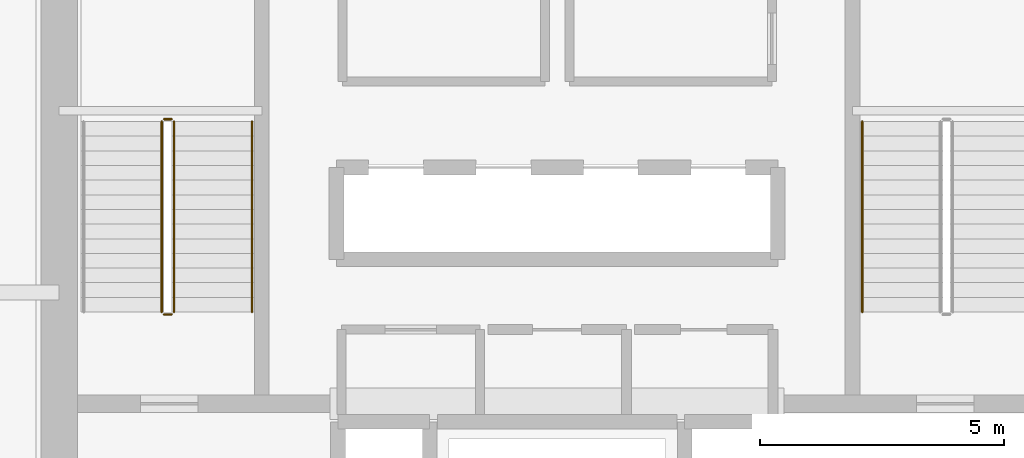
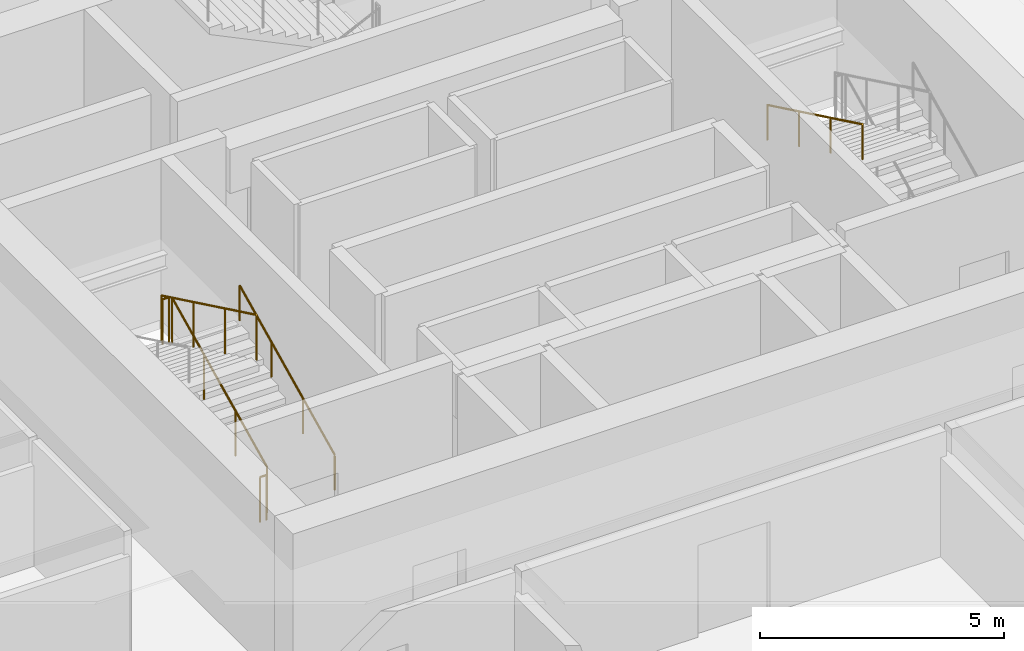
# One storey, part 33 of 36: 6 railings.
"""IFC4 building model written with IfcOpenShell, lengths in metres."""

from ifc_helpers import new_model, si_unit, direction, frame, origin, origin_2d, place, context, subcontext, project, spatial, circle, extrude, material, type_object, element, save


model = new_model("IFC4")

# Units and contexts
model_context = context("Model", 3, precision=1e-05, world=origin(), true_north=direction((0.0, 1.0)))
body_context = subcontext(model_context, "Body", "Model", "MODEL_VIEW")
ifc_project = project(units=[si_unit("LENGTHUNIT", "METRE"), si_unit("AREAUNIT", "SQUARE_METRE"), si_unit("VOLUMEUNIT", "CUBIC_METRE"), si_unit("PLANEANGLEUNIT", "RADIAN"), si_unit("MASSUNIT", "GRAM", prefix="KILO")], contexts=[model_context])

# Site, building, storey
site_placement = place(None, origin())
site = spatial("IfcSite", under=ifc_project, at=site_placement, CompositionType="ELEMENT")
building_placement = place(site_placement, origin())
building = spatial("IfcBuilding", under=site, at=building_placement, Name="Punatoya Terracotta Tower", CompositionType="ELEMENT")
storey_placement = place(building_placement, frame((0.0, 0.0, 48.449951171875)))
storey = spatial("IfcBuildingStorey", under=building, at=storey_placement, Name="L10", CompositionType="ELEMENT", Elevation=48.449951171875)

# Railings
ifc_material = material(Name="Steel S355", Category="steel")
railing_type_1 = type_object("IfcRailingType", Name="RLG-GRD-1150", PredefinedType="GUARDRAIL", material=ifc_material)
railing_1_placement = place(storey_placement, frame((-7.85009765625, -3.800048828125, 0.144775390625)))
element("IfcRailing", 1, at=railing_1_placement, inside=storey, type_object=railing_type_1, Name="L10 ST-1 stair guard 1", PredefinedType="GUARDRAIL", context=body_context, shape_type="SweptSolid", body=[
    extrude(circle(Radius=0.02392578125, at=origin_2d()), frame((0.0, 0.0, 1.1259765625), z_axis=(0.0, 0.900773802044, 0.434288564841), x_axis=(-1.0, 0.0, 0.0)), (0.0, 0.0, 1.0), 4.329833984375),
    extrude(circle(Radius=0.02099609375, at=origin_2d()), origin(), (0.0, 0.0, 1.0), 1.101806640625),
    extrude(circle(Radius=0.02099609375, at=origin_2d()), frame((0.0, 1.300048828125, 0.626708984375)), (0.0, 0.0, 1.0), 1.101806640625),
    extrude(circle(Radius=0.02099609375, at=origin_2d()), frame((0.0, 2.60009765625, 1.253662109375)), (0.0, 0.0, 1.0), 1.101806640625),
    extrude(circle(Radius=0.02099609375, at=origin_2d()), frame((0.0, 3.900146484375, 1.88037109375)), (0.0, 0.0, 1.0), 1.101806640625),
])
railing_2_placement = place(storey_placement, frame((-7.89990234375, 0.14990234375, 2.025146484375)))
element("IfcRailing", 2, at=railing_2_placement, inside=storey, type_object=railing_type_1, Name="L10 ST-1 stair guard 2", PredefinedType="GUARDRAIL", context=body_context, shape_type="SweptSolid", body=[
    extrude(circle(Radius=0.02392578125, at=origin_2d()), frame((0.0, 0.0, 1.1259765625), z_axis=(-1.0, 0.0, 0.0), x_axis=(0.0, -1.0, 0.0)), (0.0, 0.0, 1.0), 0.150146484375),
    extrude(circle(Radius=0.02099609375, at=origin_2d()), origin(), (0.0, 0.0, 1.0), 1.101806640625),
    extrude(circle(Radius=0.02099609375, at=origin_2d()), frame((-0.150146484375, 0.0, 0.0)), (0.0, 0.0, 1.0), 1.101806640625),
])
railing_3_placement = place(storey_placement, frame((-8.10009765625, 0.10009765625, 2.169677734375)))
element("IfcRailing", 3, at=railing_3_placement, inside=storey, type_object=railing_type_1, Name="L10 ST-1 stair guard 3", PredefinedType="GUARDRAIL", context=body_context, shape_type="SweptSolid", body=[
    extrude(circle(Radius=0.02392578125, at=origin_2d()), frame((0.0, 0.0, 1.1259765625), z_axis=(0.0, -0.900773802044, 0.434288564841), x_axis=(1.0, 0.0, 0.0)), (0.0, 0.0, 1.0), 4.329833984375),
    extrude(circle(Radius=0.02099609375, at=origin_2d()), origin(), (0.0, 0.0, 1.0), 1.101806640625),
    extrude(circle(Radius=0.02099609375, at=origin_2d()), frame((0.0, -1.300048828125, 0.626708984375)), (0.0, 0.0, 1.0), 1.101806640625),
    extrude(circle(Radius=0.02099609375, at=origin_2d()), frame((0.0, -2.60009765625, 1.253662109375)), (0.0, 0.0, 1.0), 1.101806640625),
    extrude(circle(Radius=0.02099609375, at=origin_2d()), frame((0.0, -3.900146484375, 1.88037109375)), (0.0, 0.0, 1.0), 1.101806640625),
])
railing_4_placement = place(storey_placement, frame((-7.89990234375, -3.85009765625, 0.0)))
element("IfcRailing", 4, at=railing_4_placement, inside=storey, type_object=railing_type_1, Name="L10 ST-1 stair guard 4", PredefinedType="GUARDRAIL", context=body_context, shape_type="SweptSolid", body=[
    extrude(circle(Radius=0.02392578125, at=origin_2d()), frame((0.0, 0.0, 1.1259765625), z_axis=(-1.0, 0.0, 0.0), x_axis=(0.0, -1.0, 0.0)), (0.0, 0.0, 1.0), 0.150146484375),
    extrude(circle(Radius=0.02099609375, at=origin_2d()), origin(), (0.0, 0.0, 1.0), 1.101806640625),
    extrude(circle(Radius=0.02099609375, at=origin_2d()), frame((-0.150146484375, 0.0, 0.0)), (0.0, 0.0, 1.0), 1.101806640625),
])
railing_type_2 = type_object("IfcRailingType", Name="RLG-HND-900", PredefinedType="HANDRAIL", material=ifc_material)
railing_5_placement = place(storey_placement, frame((-6.25, -3.800048828125, 0.144775390625)))
element("IfcRailing", 5, at=railing_5_placement, inside=storey, type_object=railing_type_2, Name="L10 ST-1 stair handrail 1", PredefinedType="HANDRAIL", context=body_context, shape_type="SweptSolid", body=[
    extrude(circle(Radius=0.02392578125, at=origin_2d()), frame((0.0, 0.0, 0.8759765625), z_axis=(0.0, 0.900773802044, 0.434288564841), x_axis=(-1.0, 0.0, 0.0)), (0.0, 0.0, 1.0), 4.329833984375),
    extrude(circle(Radius=0.02099609375, at=origin_2d()), origin(), (0.0, 0.0, 1.0), 0.851806640625),
    extrude(circle(Radius=0.02099609375, at=origin_2d()), frame((0.0, 1.300048828125, 0.626708984375)), (0.0, 0.0, 1.0), 0.851806640625),
    extrude(circle(Radius=0.02099609375, at=origin_2d()), frame((0.0, 2.60009765625, 1.253662109375)), (0.0, 0.0, 1.0), 0.851806640625),
    extrude(circle(Radius=0.02099609375, at=origin_2d()), frame((0.0, 3.900146484375, 1.88037109375)), (0.0, 0.0, 1.0), 0.851806640625),
])
railing_6_placement = place(storey_placement, frame((6.25, 0.10009765625, 2.169677734375)))
element("IfcRailing", 6, at=railing_6_placement, inside=storey, type_object=railing_type_2, Name="L10 ST-2 stair handrail 2", PredefinedType="HANDRAIL", context=body_context, shape_type="SweptSolid", body=[
    extrude(circle(Radius=0.02392578125, at=origin_2d()), frame((0.0, 0.0, 0.8759765625), z_axis=(0.0, -0.900773802044, 0.434288564841), x_axis=(1.0, 0.0, 0.0)), (0.0, 0.0, 1.0), 4.329833984375),
    extrude(circle(Radius=0.02099609375, at=origin_2d()), origin(), (0.0, 0.0, 1.0), 0.851806640625),
    extrude(circle(Radius=0.02099609375, at=origin_2d()), frame((0.0, -1.300048828125, 0.626708984375)), (0.0, 0.0, 1.0), 0.851806640625),
    extrude(circle(Radius=0.02099609375, at=origin_2d()), frame((0.0, -2.60009765625, 1.253662109375)), (0.0, 0.0, 1.0), 0.851806640625),
    extrude(circle(Radius=0.02099609375, at=origin_2d()), frame((0.0, -3.900146484375, 1.88037109375)), (0.0, 0.0, 1.0), 0.851806640625),
])

save(model, "model.ifc")
